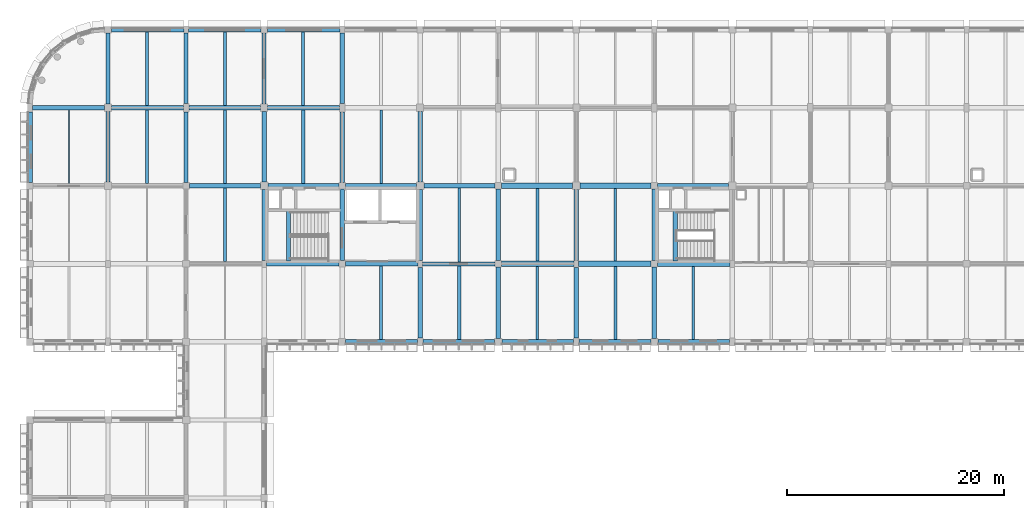
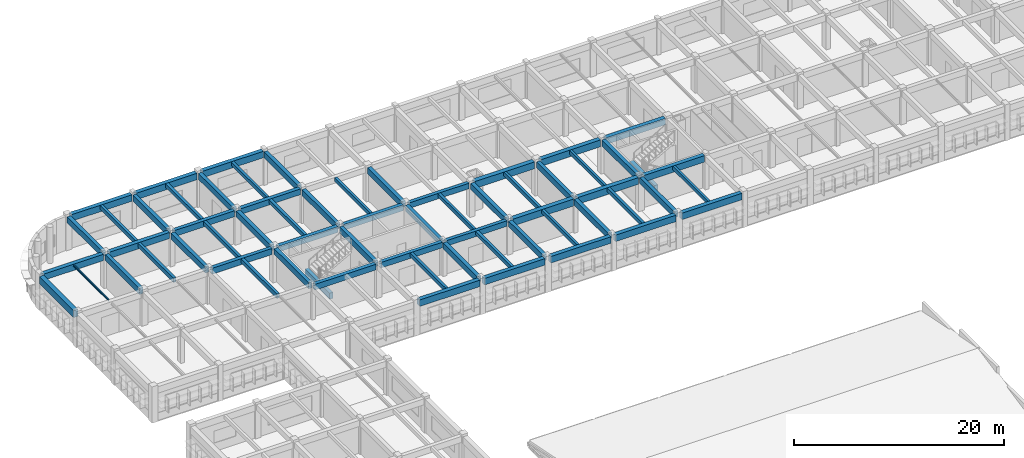
# One storey, part 42 of 103: 64 beams.
"""IFC4 building model written with IfcOpenShell, lengths in metres."""

from ifc_helpers import new_model, si_unit, direction, frame, origin, origin_2d, place, context, subcontext, project, spatial, rectangle, i_section, extrude, material, material_profile, profile_set, type_object, element, save


model = new_model("IFC4")

# Units and contexts
model_context = context("Model", 3, precision=1e-05, world=origin(), true_north=direction((0.0, 1.0)))
body_context = subcontext(model_context, "Body", "Model", "MODEL_VIEW")
ifc_project = project(units=[si_unit("LENGTHUNIT", "METRE"), si_unit("AREAUNIT", "SQUARE_METRE"), si_unit("VOLUMEUNIT", "CUBIC_METRE"), si_unit("PLANEANGLEUNIT", "RADIAN"), si_unit("MASSUNIT", "GRAM", prefix="KILO")], contexts=[model_context])

# Site, building, storey
site_placement = place(None, origin())
site = spatial("IfcSite", under=ifc_project, at=site_placement, CompositionType="ELEMENT")
building_placement = place(site_placement, origin())
building = spatial("IfcBuilding", under=site, at=building_placement, Name="Thalmaran Polytechnic", CompositionType="ELEMENT")
storey_placement = place(building_placement, frame((0.0, 0.0, 14.39990234375)))
storey = spatial("IfcBuildingStorey", under=building, at=storey_placement, Name="L03", CompositionType="ELEMENT", Elevation=14.39990234375)

# Beams
ifc_material_1 = material(Name="Concrete C40/50", Category="concrete")
ifc_material_profile_1 = material_profile(ifc_material_1, rectangle(XDim=0.5, YDim=0.800048828125, at=origin_2d()), Name="RC 500x800")
ifc_profile_set_1 = profile_set([ifc_material_profile_1], Name="Concrete C40/50")
beam_type_1 = type_object("IfcBeamType", Name="BM-RC02", PredefinedType="BEAM", material=ifc_profile_set_1)
beam_1_placement = place(storey_placement, frame((43.510009765625, 100.800048828125, 3.5400390625), z_axis=(1.0, 0.0, 0.0), x_axis=(0.0, 1.0, 0.0)))
element("IfcBeam", 1, at=beam_1_placement, inside=storey, type_object=beam_type_1, Name="Grid Beam B02 L03 X(6,14)", PredefinedType="BEAM", context=body_context, shape_type="SweptSolid", body=[
    extrude(rectangle(XDim=0.5, YDim=0.800048828125, at=origin_2d()), origin(), (0.0, 0.0, 1.0), 6.679931640625),
])
beam_2_placement = place(storey_placement, frame((43.5, 108.0, 3.5400390625), z_axis=(1.0, 0.0, 0.0), x_axis=(0.0, 1.0, 0.0)))
element("IfcBeam", 2, at=beam_2_placement, inside=storey, type_object=beam_type_1, Name="Grid Beam B02 L03 X(6,15)", PredefinedType="BEAM", context=body_context, shape_type="SweptSolid", body=[
    extrude(rectangle(XDim=0.5, YDim=0.800048828125, at=origin_2d()), origin(), (0.0, 0.0, 1.0), 6.56005859375),
])
ifc_material_profile_2 = material_profile(ifc_material_1, rectangle(XDim=0.449951171875, YDim=0.75, at=origin_2d()), Name="RC 450x750")
ifc_profile_set_2 = profile_set([ifc_material_profile_2], Name="Concrete C40/50")
beam_type_2 = type_object("IfcBeamType", Name="BM-RC03", PredefinedType="BEAM", material=ifc_profile_set_2)
beam_3_placement = place(storey_placement, frame((57.909912109375, 100.800048828125, 3.565185546875), z_axis=(1.0, 0.0, 0.0), x_axis=(0.0, 1.0, 0.0)))
element("IfcBeam", 3, at=beam_3_placement, inside=storey, type_object=beam_type_2, Name="Grid Beam B03 L03 X(8,14)", PredefinedType="BEAM", context=body_context, shape_type="SweptSolid", body=[
    extrude(rectangle(XDim=0.449951171875, YDim=0.75, at=origin_2d()), origin(), (0.0, 0.0, 1.0), 6.68017578125),
])
beam_4_placement = place(storey_placement, frame((57.89990234375, 108.0, 3.565185546875), z_axis=(1.0, 0.0, 0.0), x_axis=(0.0, 1.0, 0.0)))
element("IfcBeam", 4, at=beam_4_placement, inside=storey, type_object=beam_type_2, Name="Grid Beam B03 L03 X(8,15)", PredefinedType="BEAM", context=body_context, shape_type="SweptSolid", body=[
    extrude(rectangle(XDim=0.449951171875, YDim=0.75, at=origin_2d()), origin(), (0.0, 0.0, 1.0), 6.56005859375),
])
ifc_material_profile_3 = material_profile(ifc_material_1, rectangle(XDim=0.449951171875, YDim=0.72509765625, at=origin_2d()), Name="RC 450x725")
ifc_profile_set_3 = profile_set([ifc_material_profile_3], Name="Concrete C40/50")
beam_type_3 = type_object("IfcBeamType", Name="BM-RC04", PredefinedType="BEAM", material=ifc_profile_set_3)
beam_5_placement = place(storey_placement, frame((0.25, 115.199951171875, 3.57763671875), z_axis=(1.0, 0.0, 0.0), x_axis=(0.0, 1.0, 0.0)))
element("IfcBeam", 5, at=beam_5_placement, inside=storey, type_object=beam_type_3, Name="Grid Beam B04 L03 X(0,16)", PredefinedType="BEAM", context=body_context, shape_type="SweptSolid", body=[
    extrude(rectangle(XDim=0.449951171875, YDim=0.72509765625, at=origin_2d()), origin(), (0.0, 0.0, 1.0), 6.625),
])
ifc_material_profile_4 = material_profile(ifc_material_1, rectangle(XDim=0.39990234375, YDim=0.699951171875, at=origin_2d()), Name="RC 400x700")
ifc_profile_set_4 = profile_set([ifc_material_profile_4], Name="Concrete C40/50")
beam_type_4 = type_object("IfcBeamType", Name="BM-RC05", PredefinedType="BEAM", material=ifc_profile_set_4)
beam_6_placement = place(storey_placement, frame((14.699951171875, 108.0, 3.590087890625), z_axis=(1.0, 0.0, 0.0), x_axis=(0.0, 1.0, 0.0)))
element("IfcBeam", 6, at=beam_6_placement, inside=storey, type_object=beam_type_4, Name="Grid Beam B05 L03 X(2,15)", PredefinedType="BEAM", context=body_context, shape_type="SweptSolid", body=[
    extrude(rectangle(XDim=0.39990234375, YDim=0.699951171875, at=origin_2d()), origin(), (0.0, 0.0, 1.0), 6.56005859375),
])
beam_7_placement = place(storey_placement, frame((14.64990234375, 115.199951171875, 3.590087890625), z_axis=(1.0, 0.0, 0.0), x_axis=(0.0, 1.0, 0.0)))
element("IfcBeam", 7, at=beam_7_placement, inside=storey, type_object=beam_type_4, Name="Grid Beam B05 L03 X(2,16)", PredefinedType="BEAM", context=body_context, shape_type="SweptSolid", body=[
    extrude(rectangle(XDim=0.39990234375, YDim=0.699951171875, at=origin_2d()), origin(), (0.0, 0.0, 1.0), 6.625),
])
ifc_material_profile_5 = material_profile(ifc_material_1, rectangle(XDim=0.39990234375, YDim=0.64990234375, at=origin_2d()), Name="RC 400x650")
ifc_profile_set_5 = profile_set([ifc_material_profile_5], Name="Concrete C40/50")
beam_type_5 = type_object("IfcBeamType", Name="BM-RC06", PredefinedType="BEAM", material=ifc_profile_set_5)
beam_8_placement = place(storey_placement, frame((29.110107421875, 100.800048828125, 3.614990234375), z_axis=(1.0, 0.0, 0.0), x_axis=(0.0, 1.0, 0.0)))
element("IfcBeam", 8, at=beam_8_placement, inside=storey, type_object=beam_type_5, Name="Grid Beam B06 L03 X(4,14)", PredefinedType="BEAM", context=body_context, shape_type="SweptSolid", body=[
    extrude(rectangle(XDim=0.39990234375, YDim=0.64990234375, at=origin_2d()), origin(), (0.0, 0.0, 1.0), 6.679931640625),
])
beam_9_placement = place(storey_placement, frame((29.10009765625, 108.0, 3.614990234375), z_axis=(1.0, 0.0, 0.0), x_axis=(0.0, 1.0, 0.0)))
element("IfcBeam", 9, at=beam_9_placement, inside=storey, type_object=beam_type_5, Name="Grid Beam B06 L03 X(4,15)", PredefinedType="BEAM", context=body_context, shape_type="SweptSolid", body=[
    extrude(rectangle(XDim=0.39990234375, YDim=0.64990234375, at=origin_2d()), origin(), (0.0, 0.0, 1.0), 6.559814453125),
])
ifc_material_profile_6 = material_profile(ifc_material_1, rectangle(XDim=0.389892578125, YDim=0.68994140625, at=origin_2d()), Name="RC 390x690")
ifc_profile_set_6 = profile_set([ifc_material_profile_6], Name="Concrete C40/50")
beam_type_6 = type_object("IfcBeamType", Name="BM-RC09", PredefinedType="BEAM", material=ifc_profile_set_6)
beam_10_placement = place(storey_placement, frame((21.60009765625, 101.1201171875, 3.59521484375), z_axis=(0.0, 1.0, 0.0), x_axis=(-1.0, 0.0, 0.0)))
element("IfcBeam", 10, at=beam_10_placement, inside=storey, type_object=beam_type_6, Name="Grid Beam B09 L03 Y(3,14)", PredefinedType="BEAM", context=body_context, shape_type="SweptSolid", body=[
    extrude(rectangle(XDim=0.389892578125, YDim=0.68994140625, at=origin_2d()), origin(), (0.0, 0.0, 1.0), 6.539794921875),
])
beam_11_placement = place(storey_placement, frame((28.800048828125, 101.110107421875, 3.59521484375), z_axis=(0.0, 1.0, 0.0), x_axis=(-1.0, 0.0, 0.0)))
element("IfcBeam", 11, at=beam_11_placement, inside=storey, type_object=beam_type_6, Name="Grid Beam B09 L03 Y(4,14)", PredefinedType="BEAM", context=body_context, shape_type="SweptSolid", body=[
    extrude(rectangle(XDim=0.389892578125, YDim=0.68994140625, at=origin_2d()), origin(), (0.0, 0.0, 1.0), 6.58984375),
])
beam_12_placement = place(storey_placement, frame((36.0, 101.1201171875, 3.59521484375), z_axis=(0.0, 1.0, 0.0), x_axis=(-1.0, 0.0, 0.0)))
element("IfcBeam", 12, at=beam_12_placement, inside=storey, type_object=beam_type_6, Name="Grid Beam B09 L03 Y(5,14)", PredefinedType="BEAM", context=body_context, shape_type="SweptSolid", body=[
    extrude(rectangle(XDim=0.389892578125, YDim=0.68994140625, at=origin_2d()), origin(), (0.0, 0.0, 1.0), 6.539794921875),
])
beam_13_placement = place(storey_placement, frame((43.199951171875, 101.110107421875, 3.59521484375), z_axis=(0.0, 1.0, 0.0), x_axis=(-1.0, 0.0, 0.0)))
element("IfcBeam", 13, at=beam_13_placement, inside=storey, type_object=beam_type_6, Name="Grid Beam B09 L03 Y(6,14)", PredefinedType="BEAM", context=body_context, shape_type="SweptSolid", body=[
    extrude(rectangle(XDim=0.389892578125, YDim=0.68994140625, at=origin_2d()), origin(), (0.0, 0.0, 1.0), 6.58984375),
])
beam_14_placement = place(storey_placement, frame((50.39990234375, 101.1201171875, 3.59521484375), z_axis=(0.0, 1.0, 0.0), x_axis=(-1.0, 0.0, 0.0)))
element("IfcBeam", 14, at=beam_14_placement, inside=storey, type_object=beam_type_6, Name="Grid Beam B09 L03 Y(7,14)", PredefinedType="BEAM", context=body_context, shape_type="SweptSolid", body=[
    extrude(rectangle(XDim=0.389892578125, YDim=0.68994140625, at=origin_2d()), origin(), (0.0, 0.0, 1.0), 6.539794921875),
])
beam_15_placement = place(storey_placement, frame((57.60009765625, 101.110107421875, 3.59521484375), z_axis=(0.0, 1.0, 0.0), x_axis=(-1.0, 0.0, 0.0)))
element("IfcBeam", 15, at=beam_15_placement, inside=storey, type_object=beam_type_6, Name="Grid Beam B09 L03 Y(8,14)", PredefinedType="BEAM", context=body_context, shape_type="SweptSolid", body=[
    extrude(rectangle(XDim=0.389892578125, YDim=0.68994140625, at=origin_2d()), origin(), (0.0, 0.0, 1.0), 6.58984375),
])
ifc_material_profile_7 = material_profile(ifc_material_1, rectangle(XDim=0.389892578125, YDim=0.695068359375, at=origin_2d()), Name="RC 390x695")
ifc_profile_set_7 = profile_set([ifc_material_profile_7], Name="Concrete C40/50")
beam_type_7 = type_object("IfcBeamType", Name="BM-RC10", PredefinedType="BEAM", material=ifc_profile_set_7)
beam_16_placement = place(storey_placement, frame((7.199951171875, 115.52490234375, 3.592529296875), z_axis=(0.0, 1.0, 0.0), x_axis=(-1.0, 0.0, 0.0)))
element("IfcBeam", 16, at=beam_16_placement, inside=storey, type_object=beam_type_7, Name="Grid Beam B10 L03 Y(1,16)", PredefinedType="BEAM", context=body_context, shape_type="SweptSolid", body=[
    extrude(rectangle(XDim=0.389892578125, YDim=0.695068359375, at=origin_2d()), origin(), (0.0, 0.0, 1.0), 6.565185546875),
])
beam_17_placement = place(storey_placement, frame((14.39990234375, 115.574951171875, 3.592529296875), z_axis=(0.0, 1.0, 0.0), x_axis=(-1.0, 0.0, 0.0)))
element("IfcBeam", 17, at=beam_17_placement, inside=storey, type_object=beam_type_7, Name="Grid Beam B10 L03 Y(2,16)", PredefinedType="BEAM", context=body_context, shape_type="SweptSolid", body=[
    extrude(rectangle(XDim=0.389892578125, YDim=0.695068359375, at=origin_2d()), origin(), (0.0, 0.0, 1.0), 6.505126953125),
])
beam_18_placement = place(storey_placement, frame((21.60009765625, 115.52490234375, 3.592529296875), z_axis=(0.0, 1.0, 0.0), x_axis=(-1.0, 0.0, 0.0)))
element("IfcBeam", 18, at=beam_18_placement, inside=storey, type_object=beam_type_7, Name="Grid Beam B10 L03 Y(3,16)", PredefinedType="BEAM", context=body_context, shape_type="SweptSolid", body=[
    extrude(rectangle(XDim=0.389892578125, YDim=0.695068359375, at=origin_2d()), origin(), (0.0, 0.0, 1.0), 6.565185546875),
])
beam_19_placement = place(storey_placement, frame((28.800048828125, 115.574951171875, 3.592529296875), z_axis=(0.0, 1.0, 0.0), x_axis=(-1.0, 0.0, 0.0)))
element("IfcBeam", 19, at=beam_19_placement, inside=storey, type_object=beam_type_7, Name="Grid Beam B10 L03 Y(4,16)", PredefinedType="BEAM", context=body_context, shape_type="SweptSolid", body=[
    extrude(rectangle(XDim=0.389892578125, YDim=0.695068359375, at=origin_2d()), origin(), (0.0, 0.0, 1.0), 6.505126953125),
])
for number, where, z_axis, x_axis, name in (
    (20, (23.860107421875, 101.0400390625, 1.64013671875), (0.0, 1.0, 0.0), (-1.0, 0.0, 0.0), "ST2 L03 Half-Landing Trimmer Beam"),
    (21, (59.52001953125, 101.0400390625, 1.64013671875), (0.0, 1.0, 0.0), (-1.0, 0.0, 0.0), "ST6 L03 Half-Landing Trimmer Beam"),
):
    element("IfcBeam", number, at=place(storey_placement, frame(where, z_axis=z_axis, x_axis=x_axis)), inside=storey, type_object=beam_type_7, Name=name, PredefinedType="BEAM", context=body_context, shape_type="SweptSolid", body=[
        extrude(rectangle(XDim=0.389892578125, YDim=0.695068359375, at=origin_2d()), origin(), (0.0, 0.0, 1.0), 4.699951171875),
    ])
ifc_material_profile_8 = material_profile(ifc_material_1, rectangle(XDim=0.300048828125, YDim=0.5, at=origin_2d()), Name="RC 300x500")
ifc_profile_set_8 = profile_set([ifc_material_profile_8], Name="Concrete C40/50")
beam_type_8 = type_object("IfcBeamType", Name="BM-RC11", PredefinedType="JOIST", material=ifc_profile_set_8)
beam_20_placement = place(storey_placement, frame((10.800048828125, 108.219970703125, 3.690185546875), z_axis=(0.0, 1.0, 0.0), x_axis=(-1.0, 0.0, 0.0)))
element("IfcBeam", 22, at=beam_20_placement, inside=storey, type_object=beam_type_8, Name="Secondary Floor Rib RB01 L03 (1,15)", PredefinedType="JOIST", context=body_context, shape_type="SweptSolid", body=[
    extrude(rectangle(XDim=0.300048828125, YDim=0.5, at=origin_2d()), origin(), (0.0, 0.0, 1.0), 6.760009765625),
])
beam_21_placement = place(storey_placement, frame((18.0, 101.0, 3.690185546875), z_axis=(0.0, 1.0, 0.0), x_axis=(-1.0, 0.0, 0.0)))
element("IfcBeam", 23, at=beam_21_placement, inside=storey, type_object=beam_type_8, Name="Secondary Floor Rib RB01 L03 (2,14)", PredefinedType="JOIST", context=body_context, shape_type="SweptSolid", body=[
    extrude(rectangle(XDim=0.300048828125, YDim=0.5, at=origin_2d()), origin(), (0.0, 0.0, 1.0), 6.800048828125),
])
ifc_material_profile_9 = material_profile(ifc_material_1, rectangle(XDim=0.300048828125, YDim=0.449951171875, at=origin_2d()), Name="RC 300x450")
ifc_profile_set_9 = profile_set([ifc_material_profile_9], Name="Concrete C40/50")
beam_type_9 = type_object("IfcBeamType", Name="BM-RC12", PredefinedType="JOIST", material=ifc_profile_set_9)
beam_22_placement = place(storey_placement, frame((18.0, 115.39990234375, 3.715087890625), z_axis=(0.0, 1.0, 0.0), x_axis=(-1.0, 0.0, 0.0)))
element("IfcBeam", 24, at=beam_22_placement, inside=storey, type_object=beam_type_9, Name="Secondary Floor Rib RB02 L03 (2,16)", PredefinedType="JOIST", context=body_context, shape_type="SweptSolid", body=[
    extrude(rectangle(XDim=0.300048828125, YDim=0.449951171875, at=origin_2d()), origin(), (0.0, 0.0, 1.0), 6.775146484375),
])
beam_23_placement = place(storey_placement, frame((25.199951171875, 108.2099609375, 3.715087890625), z_axis=(0.0, 1.0, 0.0), x_axis=(-1.0, 0.0, 0.0)))
element("IfcBeam", 25, at=beam_23_placement, inside=storey, type_object=beam_type_9, Name="Secondary Floor Rib RB02 L03 (3,15)", PredefinedType="JOIST", context=body_context, shape_type="SweptSolid", body=[
    extrude(rectangle(XDim=0.300048828125, YDim=0.449951171875, at=origin_2d()), origin(), (0.0, 0.0, 1.0), 6.780029296875),
])
beam_24_placement = place(storey_placement, frame((39.60009765625, 93.824951171875, 3.715087890625), z_axis=(0.0, 1.0, 0.0), x_axis=(-1.0, 0.0, 0.0)))
element("IfcBeam", 26, at=beam_24_placement, inside=storey, type_object=beam_type_9, Name="Secondary Floor Rib RB02 L03 (5,13)", PredefinedType="JOIST", context=body_context, shape_type="SweptSolid", body=[
    extrude(rectangle(XDim=0.300048828125, YDim=0.449951171875, at=origin_2d()), origin(), (0.0, 0.0, 1.0), 6.78515625),
])
ifc_material_profile_10 = material_profile(ifc_material_1, rectangle(XDim=0.280029296875, YDim=0.449951171875, at=origin_2d()), Name="RC 280x450")
ifc_profile_set_10 = profile_set([ifc_material_profile_10], Name="Concrete C40/50")
beam_type_10 = type_object("IfcBeamType", Name="BM-RC13", PredefinedType="JOIST", material=ifc_profile_set_10)
beam_25_placement = place(storey_placement, frame((46.800048828125, 101.050048828125, 3.715087890625), z_axis=(0.0, 1.0, 0.0), x_axis=(-1.0, 0.0, 0.0)))
element("IfcBeam", 27, at=beam_25_placement, inside=storey, type_object=beam_type_10, Name="Secondary Floor Rib RB03 L03 (6,14)", PredefinedType="JOIST", context=body_context, shape_type="SweptSolid", body=[
    extrude(rectangle(XDim=0.280029296875, YDim=0.449951171875, at=origin_2d()), origin(), (0.0, 0.0, 1.0), 6.699951171875),
])
beam_26_placement = place(storey_placement, frame((54.0, 93.824951171875, 3.715087890625), z_axis=(0.0, 1.0, 0.0), x_axis=(-1.0, 0.0, 0.0)))
element("IfcBeam", 28, at=beam_26_placement, inside=storey, type_object=beam_type_10, Name="Secondary Floor Rib RB03 L03 (7,13)", PredefinedType="JOIST", context=body_context, shape_type="SweptSolid", body=[
    extrude(rectangle(XDim=0.280029296875, YDim=0.449951171875, at=origin_2d()), origin(), (0.0, 0.0, 1.0), 6.735107421875),
])
ifc_material_2 = material(Name="Steel S355", Category="steel")
ifc_material_profile_11 = material_profile(ifc_material_2, i_section(OverallWidth=0.110107421875, OverallDepth=0.219970703125, WebThickness=0.005859375, FlangeThickness=0.00927734375, at=origin_2d()), Name="IPE 220")
ifc_profile_set_11 = profile_set([ifc_material_profile_11], Name="Steel S355")
beam_type_11 = type_object("IfcBeamType", Name="BM-SJ04", PredefinedType="JOIST", material=ifc_profile_set_11)
beam_27_placement = place(storey_placement, frame((3.60009765625, 108.22509765625, 3.830078125), z_axis=(0.0, 1.0, 0.0), x_axis=(-1.0, 0.0, 0.0)))
element("IfcBeam", 29, at=beam_27_placement, inside=storey, type_object=beam_type_11, Name="Secondary Floor Rib SJ04 L03 (0,15)", PredefinedType="JOIST", context=body_context, shape_type="SweptSolid", body=[
    extrude(i_section(OverallWidth=0.110107421875, OverallDepth=0.219970703125, WebThickness=0.005859375, FlangeThickness=0.00927734375, at=origin_2d()), origin(), (0.0, 0.0, 1.0), 6.75),
])
ifc_material_profile_12 = material_profile(ifc_material_1, rectangle(XDim=0.449951171875, YDim=0.7548828125, at=origin_2d()), Name="RC 450x755")
ifc_profile_set_12 = profile_set([ifc_material_profile_12], Name="Concrete C40/50")
beam_type_12 = type_object("IfcBeamType", Name="BM-SP02", PredefinedType="SPANDREL", material=ifc_profile_set_12)
for number, where, z_axis, x_axis, name in (
    (30, (7.510009765625, 122.39990234375, 3.5625), (1.0, 0.0, 0.0), (0.0, 1.0, 0.0), "Grid Beam SP02 L03 X(1,17)"),
    (31, (14.610107421875, 122.39990234375, 3.5625), (1.0, 0.0, 0.0), (0.0, 1.0, 0.0), "Grid Beam SP02 L03 X(2,17)"),
):
    element("IfcBeam", number, at=place(storey_placement, frame(where, z_axis=z_axis, x_axis=x_axis)), inside=storey, type_object=beam_type_12, Name=name, PredefinedType="SPANDREL", context=body_context, shape_type="SweptSolid", body=[
        extrude(rectangle(XDim=0.449951171875, YDim=0.7548828125, at=origin_2d()), origin(), (0.0, 0.0, 1.0), 6.679931640625),
    ])
beam_28_placement = place(storey_placement, frame((21.909912109375, 122.39990234375, 3.5625), z_axis=(1.0, 0.0, 0.0), x_axis=(0.0, 1.0, 0.0)))
element("IfcBeam", 32, at=beam_28_placement, inside=storey, type_object=beam_type_12, Name="Grid Beam SP02 L03 X(3,17)", PredefinedType="SPANDREL", context=body_context, shape_type="SweptSolid", body=[
    extrude(rectangle(XDim=0.449951171875, YDim=0.7548828125, at=origin_2d()), origin(), (0.0, 0.0, 1.0), 6.68017578125),
])
for number, where, z_axis, x_axis, name in (
    (33, (29.125, 93.60009765625, 3.5625), (1.0, 0.0, 0.0), (0.0, 1.0, 0.0), "Grid Beam SP02 L03 X(4,13)"),
    (34, (36.25, 93.60009765625, 3.5625), (1.0, 0.0, 0.0), (0.0, 1.0, 0.0), "Grid Beam SP02 L03 X(5,13)"),
    (35, (43.52490234375, 93.60009765625, 3.5625), (1.0, 0.0, 0.0), (0.0, 1.0, 0.0), "Grid Beam SP02 L03 X(6,13)"),
    (36, (50.64990234375, 93.60009765625, 3.5625), (1.0, 0.0, 0.0), (0.0, 1.0, 0.0), "Grid Beam SP02 L03 X(7,13)"),
    (37, (57.925048828125, 93.60009765625, 3.5625), (1.0, 0.0, 0.0), (0.0, 1.0, 0.0), "Grid Beam SP02 L03 X(8,13)"),
):
    element("IfcBeam", number, at=place(storey_placement, frame(where, z_axis=z_axis, x_axis=x_axis)), inside=storey, type_object=beam_type_12, Name=name, PredefinedType="SPANDREL", context=body_context, shape_type="SweptSolid", body=[
        extrude(rectangle(XDim=0.449951171875, YDim=0.7548828125, at=origin_2d()), origin(), (0.0, 0.0, 1.0), 6.625),
    ])
ifc_material_profile_13 = material_profile(ifc_material_1, rectangle(XDim=0.5, YDim=0.804931640625, at=origin_2d()), Name="RC 500x805")
ifc_profile_set_13 = profile_set([ifc_material_profile_13], Name="Concrete C40/50")
beam_type_13 = type_object("IfcBeamType", Name="BM-SP03", PredefinedType="SPANDREL", material=ifc_profile_set_13)
beam_29_placement = place(storey_placement, frame((0.0, 108.300048828125, 3.53759765625), z_axis=(0.0, 1.0, 0.0), x_axis=(-1.0, 0.0, 0.0)))
element("IfcBeam", 38, at=beam_29_placement, inside=storey, type_object=beam_type_13, Name="Grid Beam SP03 L03 Y(0,15)", PredefinedType="SPANDREL", context=body_context, shape_type="SweptSolid", body=[
    extrude(rectangle(XDim=0.5, YDim=0.804931640625, at=origin_2d()), origin(), (0.0, 0.0, 1.0), 6.52490234375),
])
ifc_material_profile_14 = material_profile(ifc_material_1, rectangle(XDim=0.47998046875, YDim=0.780029296875, at=origin_2d()), Name="RC 480x780")
ifc_profile_set_14 = profile_set([ifc_material_profile_14], Name="Concrete C40/50")
beam_type_14 = type_object("IfcBeamType", Name="BM-ZB01", PredefinedType="BEAM", material=ifc_profile_set_14)
beam_30_placement = place(storey_placement, frame((50.610107421875, 100.800048828125, 3.550048828125), z_axis=(1.0, 0.0, 0.0), x_axis=(0.0, 1.0, 0.0)))
element("IfcBeam", 39, at=beam_30_placement, inside=storey, type_object=beam_type_14, Name="Grid Beam ZB01 L03 X(7,14)", PredefinedType="BEAM", context=body_context, shape_type="SweptSolid", body=[
    extrude(rectangle(XDim=0.47998046875, YDim=0.780029296875, at=origin_2d()), origin(), (0.0, 0.0, 1.0), 6.679931640625),
])
beam_31_placement = place(storey_placement, frame((50.739990234375, 108.0, 3.550048828125), z_axis=(1.0, 0.0, 0.0), x_axis=(0.0, 1.0, 0.0)))
element("IfcBeam", 40, at=beam_31_placement, inside=storey, type_object=beam_type_14, Name="Grid Beam ZB01 L03 X(7,15)", PredefinedType="BEAM", context=body_context, shape_type="SweptSolid", body=[
    extrude(rectangle(XDim=0.47998046875, YDim=0.780029296875, at=origin_2d()), origin(), (0.0, 0.0, 1.0), 6.56005859375),
])
ifc_material_profile_15 = material_profile(ifc_material_1, rectangle(XDim=0.43994140625, YDim=0.719970703125, at=origin_2d()), Name="RC 440x720")
ifc_profile_set_15 = profile_set([ifc_material_profile_15], Name="Concrete C40/50")
beam_type_15 = type_object("IfcBeamType", Name="BM-ZB03", PredefinedType="BEAM", material=ifc_profile_set_15)
beam_32_placement = place(storey_placement, frame((7.52490234375, 115.199951171875, 3.580078125), z_axis=(1.0, 0.0, 0.0), x_axis=(0.0, 1.0, 0.0)))
element("IfcBeam", 41, at=beam_32_placement, inside=storey, type_object=beam_type_15, Name="Grid Beam ZB03 L03 X(1,16)", PredefinedType="BEAM", context=body_context, shape_type="SweptSolid", body=[
    extrude(rectangle(XDim=0.43994140625, YDim=0.719970703125, at=origin_2d()), origin(), (0.0, 0.0, 1.0), 6.625),
])
ifc_material_profile_16 = material_profile(ifc_material_1, rectangle(XDim=0.419921875, YDim=0.659912109375, at=origin_2d()), Name="RC 420x660")
ifc_profile_set_16 = profile_set([ifc_material_profile_16], Name="Concrete C40/50")
beam_type_16 = type_object("IfcBeamType", Name="BM-ZB04", PredefinedType="BEAM", material=ifc_profile_set_16)
beam_33_placement = place(storey_placement, frame((21.81005859375, 100.800048828125, 3.610107421875), z_axis=(1.0, 0.0, 0.0), x_axis=(0.0, 1.0, 0.0)))
element("IfcBeam", 42, at=beam_33_placement, inside=storey, type_object=beam_type_16, Name="Grid Beam ZB04 L03 X(3,14)", PredefinedType="BEAM", context=body_context, shape_type="SweptSolid", body=[
    extrude(rectangle(XDim=0.419921875, YDim=0.659912109375, at=origin_2d()), origin(), (0.0, 0.0, 1.0), 6.679931640625),
])
beam_34_placement = place(storey_placement, frame((21.93994140625, 108.0, 3.610107421875), z_axis=(1.0, 0.0, 0.0), x_axis=(0.0, 1.0, 0.0)))
element("IfcBeam", 43, at=beam_34_placement, inside=storey, type_object=beam_type_16, Name="Grid Beam ZB04 L03 X(3,15)", PredefinedType="BEAM", context=body_context, shape_type="SweptSolid", body=[
    extrude(rectangle(XDim=0.419921875, YDim=0.659912109375, at=origin_2d()), origin(), (0.0, 0.0, 1.0), 6.56005859375),
])
beam_35_placement = place(storey_placement, frame((21.925048828125, 115.199951171875, 3.610107421875), z_axis=(1.0, 0.0, 0.0), x_axis=(0.0, 1.0, 0.0)))
element("IfcBeam", 44, at=beam_35_placement, inside=storey, type_object=beam_type_16, Name="Grid Beam ZB04 L03 X(3,16)", PredefinedType="BEAM", context=body_context, shape_type="SweptSolid", body=[
    extrude(rectangle(XDim=0.419921875, YDim=0.659912109375, at=origin_2d()), origin(), (0.0, 0.0, 1.0), 6.625),
])
ifc_material_profile_17 = material_profile(ifc_material_1, rectangle(XDim=0.3798828125, YDim=0.639892578125, at=origin_2d()), Name="RC 380x640")
ifc_profile_set_17 = profile_set([ifc_material_profile_17], Name="Concrete C40/50")
beam_type_17 = type_object("IfcBeamType", Name="BM-ZB05", PredefinedType="BEAM", material=ifc_profile_set_17)
beam_36_placement = place(storey_placement, frame((36.2099609375, 100.800048828125, 3.6201171875), z_axis=(1.0, 0.0, 0.0), x_axis=(0.0, 1.0, 0.0)))
element("IfcBeam", 45, at=beam_36_placement, inside=storey, type_object=beam_type_17, Name="Grid Beam ZB05 L03 X(5,14)", PredefinedType="BEAM", context=body_context, shape_type="SweptSolid", body=[
    extrude(rectangle(XDim=0.3798828125, YDim=0.639892578125, at=origin_2d()), origin(), (0.0, 0.0, 1.0), 6.679931640625),
])
beam_37_placement = place(storey_placement, frame((36.340087890625, 108.0, 3.6201171875), z_axis=(1.0, 0.0, 0.0), x_axis=(0.0, 1.0, 0.0)))
element("IfcBeam", 46, at=beam_37_placement, inside=storey, type_object=beam_type_17, Name="Grid Beam ZB05 L03 X(5,15)", PredefinedType="BEAM", context=body_context, shape_type="SweptSolid", body=[
    extrude(rectangle(XDim=0.3798828125, YDim=0.639892578125, at=origin_2d()), origin(), (0.0, 0.0, 1.0), 6.559814453125),
])
ifc_material_profile_18 = material_profile(ifc_material_1, rectangle(XDim=0.39990234375, YDim=0.68505859375, at=origin_2d()), Name="RC 400x685")
ifc_profile_set_18 = profile_set([ifc_material_profile_18], Name="Concrete C40/50")
beam_type_18 = type_object("IfcBeamType", Name="BM-ZB07", PredefinedType="BEAM", material=ifc_profile_set_18)
beam_38_placement = place(storey_placement, frame((36.0, 93.97509765625, 3.59765625), z_axis=(0.0, 1.0, 0.0), x_axis=(-1.0, 0.0, 0.0)))
element("IfcBeam", 47, at=beam_38_placement, inside=storey, type_object=beam_type_18, Name="Grid Beam ZB07 L03 Y(5,13)", PredefinedType="BEAM", context=body_context, shape_type="SweptSolid", body=[
    extrude(rectangle(XDim=0.39990234375, YDim=0.68505859375, at=origin_2d()), origin(), (0.0, 0.0, 1.0), 6.5048828125),
])
beam_39_placement = place(storey_placement, frame((43.199951171875, 93.925048828125, 3.59765625), z_axis=(0.0, 1.0, 0.0), x_axis=(-1.0, 0.0, 0.0)))
element("IfcBeam", 48, at=beam_39_placement, inside=storey, type_object=beam_type_18, Name="Grid Beam ZB07 L03 Y(6,13)", PredefinedType="BEAM", context=body_context, shape_type="SweptSolid", body=[
    extrude(rectangle(XDim=0.39990234375, YDim=0.68505859375, at=origin_2d()), origin(), (0.0, 0.0, 1.0), 6.56494140625),
])
beam_40_placement = place(storey_placement, frame((50.39990234375, 93.97509765625, 3.59765625), z_axis=(0.0, 1.0, 0.0), x_axis=(-1.0, 0.0, 0.0)))
element("IfcBeam", 49, at=beam_40_placement, inside=storey, type_object=beam_type_18, Name="Grid Beam ZB07 L03 Y(7,13)", PredefinedType="BEAM", context=body_context, shape_type="SweptSolid", body=[
    extrude(rectangle(XDim=0.39990234375, YDim=0.68505859375, at=origin_2d()), origin(), (0.0, 0.0, 1.0), 6.5048828125),
])
beam_41_placement = place(storey_placement, frame((57.60009765625, 93.925048828125, 3.59765625), z_axis=(0.0, 1.0, 0.0), x_axis=(-1.0, 0.0, 0.0)))
element("IfcBeam", 50, at=beam_41_placement, inside=storey, type_object=beam_type_18, Name="Grid Beam ZB07 L03 Y(8,13)", PredefinedType="BEAM", context=body_context, shape_type="SweptSolid", body=[
    extrude(rectangle(XDim=0.39990234375, YDim=0.68505859375, at=origin_2d()), origin(), (0.0, 0.0, 1.0), 6.56494140625),
])
ifc_material_profile_19 = material_profile(ifc_material_1, rectangle(XDim=0.39990234375, YDim=0.695068359375, at=origin_2d()), Name="RC 400x695")
ifc_profile_set_19 = profile_set([ifc_material_profile_19], Name="Concrete C40/50")
beam_type_19 = type_object("IfcBeamType", Name="BM-ZB08", PredefinedType="BEAM", material=ifc_profile_set_19)
beam_42_placement = place(storey_placement, frame((7.199951171875, 108.340087890625, 3.592529296875), z_axis=(0.0, 1.0, 0.0), x_axis=(-1.0, 0.0, 0.0)))
element("IfcBeam", 51, at=beam_42_placement, inside=storey, type_object=beam_type_19, Name="Grid Beam ZB08 L03 Y(1,15)", PredefinedType="BEAM", context=body_context, shape_type="SweptSolid", body=[
    extrude(rectangle(XDim=0.39990234375, YDim=0.695068359375, at=origin_2d()), origin(), (0.0, 0.0, 1.0), 6.534912109375),
])
beam_43_placement = place(storey_placement, frame((14.39990234375, 108.300048828125, 3.592529296875), z_axis=(0.0, 1.0, 0.0), x_axis=(-1.0, 0.0, 0.0)))
element("IfcBeam", 52, at=beam_43_placement, inside=storey, type_object=beam_type_19, Name="Grid Beam ZB08 L03 Y(2,15)", PredefinedType="BEAM", context=body_context, shape_type="SweptSolid", body=[
    extrude(rectangle(XDim=0.39990234375, YDim=0.695068359375, at=origin_2d()), origin(), (0.0, 0.0, 1.0), 6.52490234375),
])
beam_44_placement = place(storey_placement, frame((21.60009765625, 108.340087890625, 3.592529296875), z_axis=(0.0, 1.0, 0.0), x_axis=(-1.0, 0.0, 0.0)))
element("IfcBeam", 53, at=beam_44_placement, inside=storey, type_object=beam_type_19, Name="Grid Beam ZB08 L03 Y(3,15)", PredefinedType="BEAM", context=body_context, shape_type="SweptSolid", body=[
    extrude(rectangle(XDim=0.39990234375, YDim=0.695068359375, at=origin_2d()), origin(), (0.0, 0.0, 1.0), 6.534912109375),
])
beam_45_placement = place(storey_placement, frame((28.800048828125, 108.300048828125, 3.592529296875), z_axis=(0.0, 1.0, 0.0), x_axis=(-1.0, 0.0, 0.0)))
element("IfcBeam", 54, at=beam_45_placement, inside=storey, type_object=beam_type_19, Name="Grid Beam ZB08 L03 Y(4,15)", PredefinedType="BEAM", context=body_context, shape_type="SweptSolid", body=[
    extrude(rectangle(XDim=0.39990234375, YDim=0.695068359375, at=origin_2d()), origin(), (0.0, 0.0, 1.0), 6.52490234375),
])
beam_46_placement = place(storey_placement, frame((36.0, 108.340087890625, 3.592529296875), z_axis=(0.0, 1.0, 0.0), x_axis=(-1.0, 0.0, 0.0)))
element("IfcBeam", 55, at=beam_46_placement, inside=storey, type_object=beam_type_19, Name="Grid Beam ZB08 L03 Y(5,15)", PredefinedType="BEAM", context=body_context, shape_type="SweptSolid", body=[
    extrude(rectangle(XDim=0.39990234375, YDim=0.695068359375, at=origin_2d()), origin(), (0.0, 0.0, 1.0), 6.534912109375),
])
ifc_material_profile_20 = material_profile(ifc_material_1, rectangle(XDim=0.280029296875, YDim=0.47998046875, at=origin_2d()), Name="RC 280x480")
ifc_profile_set_20 = profile_set([ifc_material_profile_20], Name="Concrete C40/50")
beam_type_20 = type_object("IfcBeamType", Name="BM-ZJ01", PredefinedType="JOIST", material=ifc_profile_set_20)
beam_47_placement = place(storey_placement, frame((10.800048828125, 115.419921875, 3.7001953125), z_axis=(0.0, 1.0, 0.0), x_axis=(-1.0, 0.0, 0.0)))
element("IfcBeam", 56, at=beam_47_placement, inside=storey, type_object=beam_type_20, Name="Secondary Floor Rib ZJ01 L03 (1,16)", PredefinedType="JOIST", context=body_context, shape_type="SweptSolid", body=[
    extrude(rectangle(XDim=0.280029296875, YDim=0.47998046875, at=origin_2d()), origin(), (0.0, 0.0, 1.0), 6.755126953125),
])
beam_48_placement = place(storey_placement, frame((18.0, 108.199951171875, 3.7001953125), z_axis=(0.0, 1.0, 0.0), x_axis=(-1.0, 0.0, 0.0)))
element("IfcBeam", 57, at=beam_48_placement, inside=storey, type_object=beam_type_20, Name="Secondary Floor Rib ZJ01 L03 (2,15)", PredefinedType="JOIST", context=body_context, shape_type="SweptSolid", body=[
    extrude(rectangle(XDim=0.280029296875, YDim=0.47998046875, at=origin_2d()), origin(), (0.0, 0.0, 1.0), 6.800048828125),
])
beam_49_placement = place(storey_placement, frame((32.39990234375, 93.824951171875, 3.7001953125), z_axis=(0.0, 1.0, 0.0), x_axis=(-1.0, 0.0, 0.0)))
element("IfcBeam", 58, at=beam_49_placement, inside=storey, type_object=beam_type_20, Name="Secondary Floor Rib ZJ01 L03 (4,13)", PredefinedType="JOIST", context=body_context, shape_type="SweptSolid", body=[
    extrude(rectangle(XDim=0.280029296875, YDim=0.47998046875, at=origin_2d()), origin(), (0.0, 0.0, 1.0), 6.775146484375),
])
ifc_material_profile_21 = material_profile(ifc_material_1, rectangle(XDim=0.260009765625, YDim=0.43994140625, at=origin_2d()), Name="RC 260x440")
ifc_profile_set_21 = profile_set([ifc_material_profile_21], Name="Concrete C40/50")
beam_type_21 = type_object("IfcBeamType", Name="BM-ZJ02", PredefinedType="JOIST", material=ifc_profile_set_21)
beam_50_placement = place(storey_placement, frame((25.199951171875, 115.409912109375, 3.72021484375), z_axis=(0.0, 1.0, 0.0), x_axis=(-1.0, 0.0, 0.0)))
element("IfcBeam", 59, at=beam_50_placement, inside=storey, type_object=beam_type_21, Name="Secondary Floor Rib ZJ02 L03 (3,16)", PredefinedType="JOIST", context=body_context, shape_type="SweptSolid", body=[
    extrude(rectangle(XDim=0.260009765625, YDim=0.43994140625, at=origin_2d()), origin(), (0.0, 0.0, 1.0), 6.76513671875),
])
beam_51_placement = place(storey_placement, frame((32.39990234375, 108.199951171875, 3.72021484375), z_axis=(0.0, 1.0, 0.0), x_axis=(-1.0, 0.0, 0.0)))
element("IfcBeam", 60, at=beam_51_placement, inside=storey, type_object=beam_type_21, Name="Secondary Floor Rib ZJ02 L03 (4,15)", PredefinedType="JOIST", context=body_context, shape_type="SweptSolid", body=[
    extrude(rectangle(XDim=0.260009765625, YDim=0.43994140625, at=origin_2d()), origin(), (0.0, 0.0, 1.0), 6.800048828125),
])
beam_52_placement = place(storey_placement, frame((39.60009765625, 100.989990234375, 3.72021484375), z_axis=(0.0, 1.0, 0.0), x_axis=(-1.0, 0.0, 0.0)))
element("IfcBeam", 61, at=beam_52_placement, inside=storey, type_object=beam_type_21, Name="Secondary Floor Rib ZJ02 L03 (5,14)", PredefinedType="JOIST", context=body_context, shape_type="SweptSolid", body=[
    extrude(rectangle(XDim=0.260009765625, YDim=0.43994140625, at=origin_2d()), origin(), (0.0, 0.0, 1.0), 6.820068359375),
])
beam_53_placement = place(storey_placement, frame((46.800048828125, 93.824951171875, 3.72021484375), z_axis=(0.0, 1.0, 0.0), x_axis=(-1.0, 0.0, 0.0)))
element("IfcBeam", 62, at=beam_53_placement, inside=storey, type_object=beam_type_21, Name="Secondary Floor Rib ZJ02 L03 (6,13)", PredefinedType="JOIST", context=body_context, shape_type="SweptSolid", body=[
    extrude(rectangle(XDim=0.260009765625, YDim=0.43994140625, at=origin_2d()), origin(), (0.0, 0.0, 1.0), 6.72509765625),
])
ifc_material_profile_22 = material_profile(ifc_material_1, rectangle(XDim=0.25, YDim=0.419921875, at=origin_2d()), Name="RC 250x420")
ifc_profile_set_22 = profile_set([ifc_material_profile_22], Name="Concrete C40/50")
beam_type_22 = type_object("IfcBeamType", Name="BM-ZJ03", PredefinedType="JOIST", material=ifc_profile_set_22)
beam_54_placement = place(storey_placement, frame((54.0, 101.0400390625, 3.72998046875), z_axis=(0.0, 1.0, 0.0), x_axis=(-1.0, 0.0, 0.0)))
element("IfcBeam", 63, at=beam_54_placement, inside=storey, type_object=beam_type_22, Name="Secondary Floor Rib ZJ03 L03 (7,14)", PredefinedType="JOIST", context=body_context, shape_type="SweptSolid", body=[
    extrude(rectangle(XDim=0.25, YDim=0.419921875, at=origin_2d()), origin(), (0.0, 0.0, 1.0), 6.719970703125),
])
beam_55_placement = place(storey_placement, frame((61.199951171875, 93.824951171875, 3.72998046875), z_axis=(0.0, 1.0, 0.0), x_axis=(-1.0, 0.0, 0.0)))
element("IfcBeam", 64, at=beam_55_placement, inside=storey, type_object=beam_type_22, Name="Secondary Floor Rib ZJ03 L03 (8,13)", PredefinedType="JOIST", context=body_context, shape_type="SweptSolid", body=[
    extrude(rectangle(XDim=0.25, YDim=0.419921875, at=origin_2d()), origin(), (0.0, 0.0, 1.0), 6.75),
])

save(model, "model.ifc")
